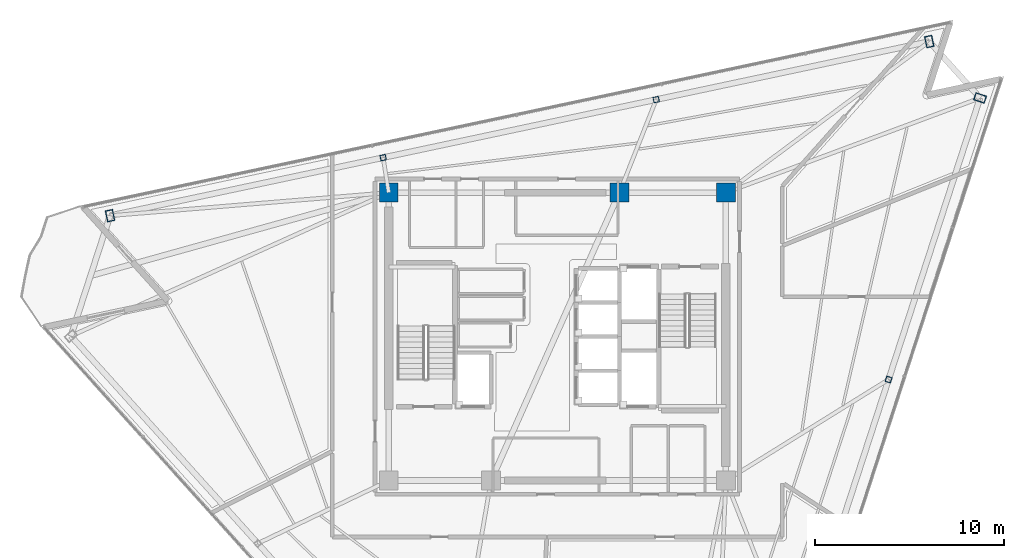
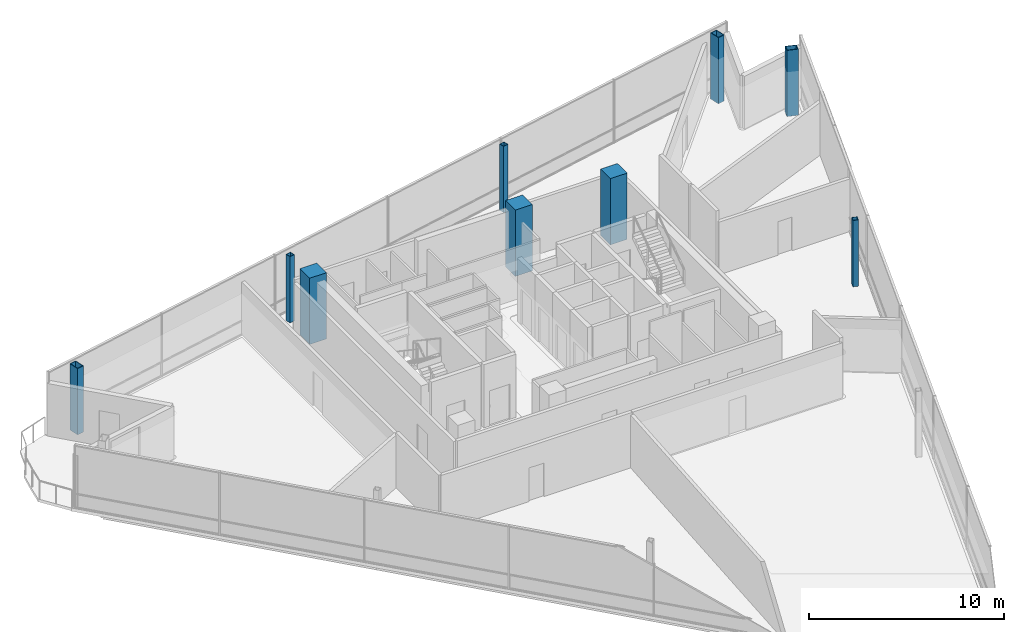
# One storey, part 2 of 17: 9 columns.
"""IFC4 building model written with IfcOpenShell, lengths in metres."""

from ifc_helpers import new_model, si_unit, direction, frame, origin, origin_2d, place, context, subcontext, project, spatial, rectangle, hollow_rectangle, extrude, material, material_profile, profile_set, type_object, element, save


model = new_model("IFC4")

# Units and contexts
model_context = context("Model", 3, precision=1e-05, world=origin(), true_north=direction((0.0, 1.0)))
body_context = subcontext(model_context, "Body", "Model", "MODEL_VIEW")
ifc_project = project(units=[si_unit("LENGTHUNIT", "METRE"), si_unit("AREAUNIT", "SQUARE_METRE"), si_unit("VOLUMEUNIT", "CUBIC_METRE"), si_unit("PLANEANGLEUNIT", "RADIAN"), si_unit("MASSUNIT", "GRAM", prefix="KILO")], contexts=[model_context])

# Site, building, storey
site_placement = place(None, origin())
site = spatial("IfcSite", under=ifc_project, at=site_placement, CompositionType="ELEMENT")
building_placement = place(site_placement, origin())
building = spatial("IfcBuilding", under=site, at=building_placement, Name="Tharavind Bronze Gate", CompositionType="ELEMENT")
storey_placement = place(building_placement, frame((0.0, 0.0, 298.0)))
storey = spatial("IfcBuildingStorey", under=building, at=storey_placement, Name="L77", CompositionType="ELEMENT", Elevation=298.0)

# Columns
ifc_material_1 = material(Name="Steel S460", Category="steel")
ifc_material_profile_1 = material_profile(ifc_material_1, hollow_rectangle(XDim=0.39990234375, YDim=0.60009765625, WallThickness=0.030029296875, at=origin_2d()), Name="RHS600X400X30")
ifc_profile_set_1 = profile_set([ifc_material_profile_1], Name="Steel S460")
column_type_1 = type_object("IfcColumnType", Name="CORNER NOTCH COLUMN RHS600X400", PredefinedType="COLUMN", material=ifc_profile_set_1)
for number, where, z_axis, x_axis, name in (
    (1, (22.319091796875, 12.599609375, 0.0), (0.0, 0.0, 1.0), (0.309018654281, 0.951055976957, 0.0), "L77 perimeter column S2C4"),
    (2, (19.63720703125, 15.578125, 0.0), (0.0, 0.0, 1.0), (0.978147237858, 0.207913398007, 0.0), "L77 perimeter column S3C1"),
    (3, (-23.614501953125, 6.384765625, 0.0), (0.0, 0.0, 1.0), (0.978147237858, 0.207913398007, 0.0), "L77 perimeter column S3C4"),
):
    element("IfcColumn", number, at=place(storey_placement, frame(where, z_axis=z_axis, x_axis=x_axis)), inside=storey, type_object=column_type_1, Name=name, PredefinedType="COLUMN", context=body_context, shape_type="SweptSolid", body=[
        extrude(hollow_rectangle(XDim=0.39990234375, YDim=0.60009765625, WallThickness=0.030029296875, at=origin_2d()), origin(), (0.0, 0.0, 1.0), 4.14990234375),
    ])
ifc_material_2 = material(Name="Concrete C50/60", Category="concrete")
ifc_material_profile_2 = material_profile(ifc_material_2, rectangle(XDim=1.0, YDim=1.0, at=origin_2d()), Name="RCCOL1000")
ifc_profile_set_2 = profile_set([ifc_material_profile_2], Name="Concrete C50/60")
column_type_2 = type_object("IfcColumnType", Name="MEGA CORE COLUMN 1000", PredefinedType="COLUMN", material=ifc_profile_set_2)
for number, where, z_axis, x_axis, name in (
    (4, (8.89990234375, 7.60009765625, 0.0), (0.0, 0.0, 1.0), (1.0, 0.0, 0.0), "L77 core mega column MC4"),
    (5, (3.280029296875, 7.60009765625, 0.0), (0.0, 0.0, 1.0), (1.0, 0.0, 0.0), "L77 core mega column MC5"),
    (6, (-8.89990234375, 7.60009765625, 0.0), (0.0, 0.0, 1.0), (1.0, 0.0, 0.0), "L77 core mega column MC6"),
):
    element("IfcColumn", number, at=place(storey_placement, frame(where, z_axis=z_axis, x_axis=x_axis)), inside=storey, type_object=column_type_2, Name=name, PredefinedType="COLUMN", context=body_context, shape_type="SweptSolid", body=[
        extrude(rectangle(XDim=1.0, YDim=1.0, at=origin_2d()), origin(), (0.0, 0.0, 1.0), 4.14990234375),
    ])
ifc_material_profile_3 = material_profile(ifc_material_1, hollow_rectangle(XDim=0.300048828125, YDim=0.300048828125, WallThickness=0.02001953125, at=origin_2d()), Name="SHS300X20")
ifc_profile_set_3 = profile_set([ifc_material_profile_3], Name="Steel S460")
column_type_3 = type_object("IfcColumnType", Name="PERIMETER BOX COLUMN SHS300", PredefinedType="COLUMN", material=ifc_profile_set_3)
for number, where, z_axis, x_axis, name in (
    (7, (17.4892578125, -2.265380859375, 0.0), (0.0, 0.0, 1.0), (0.309018654281, 0.951055976957, 0.0), "L77 perimeter column S2C3"),
    (8, (5.219970703125, 12.513671875, 0.0), (0.0, 0.0, 1.0), (0.978147237858, 0.207913398007, 0.0), "L77 perimeter column S3C2"),
    (9, (-9.197265625, 9.44921875, 0.0), (0.0, 0.0, 1.0), (0.978147237858, 0.207913398007, 0.0), "L77 perimeter column S3C3"),
):
    element("IfcColumn", number, at=place(storey_placement, frame(where, z_axis=z_axis, x_axis=x_axis)), inside=storey, type_object=column_type_3, Name=name, PredefinedType="COLUMN", context=body_context, shape_type="SweptSolid", body=[
        extrude(hollow_rectangle(XDim=0.300048828125, YDim=0.300048828125, WallThickness=0.02001953125, at=origin_2d()), origin(), (0.0, 0.0, 1.0), 4.14990234375),
    ])

save(model, "model.ifc")
